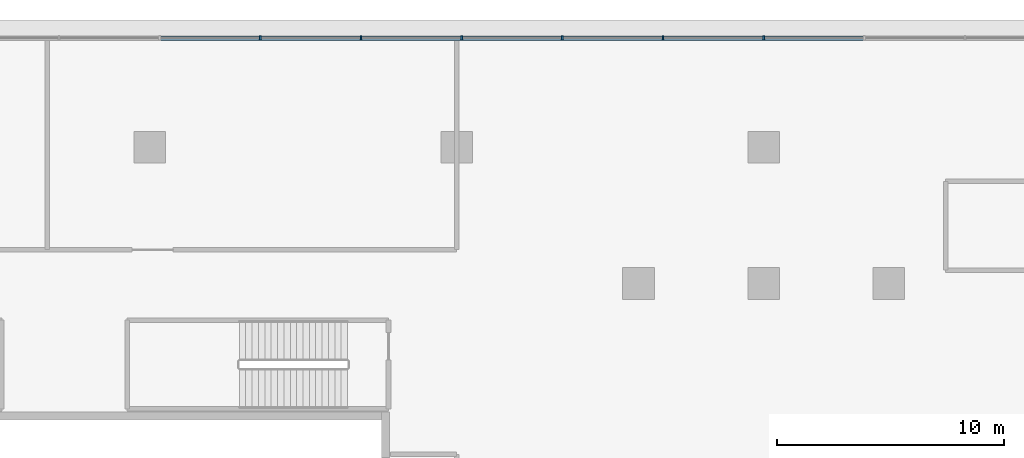
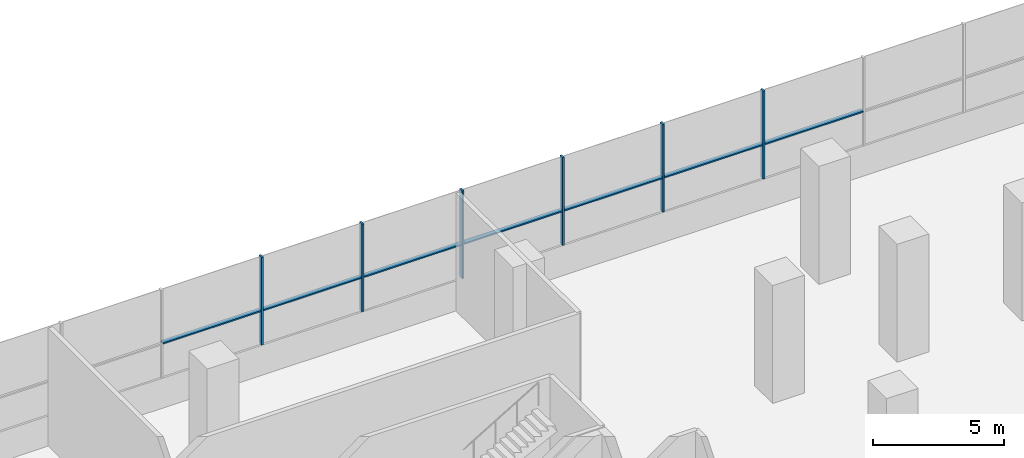
# One storey, part 14 of 52: 13 members, 1 element without a shape of its own.
"""IFC4 building model written with IfcOpenShell, lengths in metres."""

from ifc_helpers import new_model, si_unit, direction, frame, origin, origin_2d, place, context, subcontext, project, spatial, polyline, rectangle, outline, extrude, material, layer, layer_set, material_profile, profile_set, type_object, element, aggregate, save


model = new_model("IFC4")

# Units and contexts
model_context = context("Model", 3, precision=1e-05, world=origin(), true_north=direction((0.0, 1.0)))
body_context = subcontext(model_context, "Body", "Model", "MODEL_VIEW")
ifc_project = project(units=[si_unit("LENGTHUNIT", "METRE"), si_unit("AREAUNIT", "SQUARE_METRE"), si_unit("VOLUMEUNIT", "CUBIC_METRE"), si_unit("PLANEANGLEUNIT", "RADIAN"), si_unit("MASSUNIT", "GRAM", prefix="KILO")], contexts=[model_context])

# Site, building, storey
site_placement = place(None, origin())
site = spatial("IfcSite", under=ifc_project, at=site_placement, CompositionType="ELEMENT")
building_placement = place(site_placement, origin())
building = spatial("IfcBuilding", under=site, at=building_placement, Name="Tamarind Cross Interchange Tower", CompositionType="ELEMENT")
storey_placement = place(building_placement, frame((0.0, 0.0, 9.0)))
storey = spatial("IfcBuildingStorey", under=building, at=storey_placement, Name="L01", CompositionType="ELEMENT", Elevation=9.0)

# Curtain wall, members
ifc_material = material(Name="Aluminium 6063-T6", Category="aluminium")
ifc_layer = layer(ifc_material, 0.199951171875)
ifc_layer_set = layer_set([ifc_layer], Name="Aluminium 6063-T6")
curtain_wall_type = type_object("IfcCurtainWallType", Name="Podium shopfront and station curtain wall", PredefinedType="NOTDEFINED", material=ifc_layer_set)
curtain_wall_placement = place(storey_placement, origin())
curtain_wall = element("IfcCurtainWall", 1, at=curtain_wall_placement, inside=storey, type_object=curtain_wall_type, Name="CWS-L01-02", PredefinedType="NOTDEFINED")
ifc_material_profile = material_profile(ifc_material, rectangle(XDim=0.080078125, YDim=0.199951171875, at=origin_2d()), Name="Mullion CW3")
ifc_profile_set = profile_set([ifc_material_profile], Name="Aluminium 6063-T6")
member_type_1 = type_object("IfcMemberType", Name="Mullion CW3", PredefinedType="MULLION", material=ifc_profile_set)
member_1_placement = place(storey_placement, frame((0.0, 58.800048828125, 1.39990234375), z_axis=(0.0, 0.0, 1.0), x_axis=(-1.0, 0.0, 0.0)))
member_1 = element("IfcMember", 2, at=member_1_placement, type_object=member_type_1, Name="CWM-L01-02-14", PredefinedType="MULLION", context=body_context, shape_type="SweptSolid", body=[
    extrude(rectangle(XDim=0.080078125, YDim=0.199951171875, at=origin_2d()), origin(), (0.0, 0.0, 1.0), 4.10009765625),
])
member_2_placement = place(storey_placement, frame((-4.427490234375, 58.800048828125, 1.39990234375), z_axis=(0.0, 0.0, 1.0), x_axis=(-1.0, 0.0, 0.0)))
member_2 = element("IfcMember", 3, at=member_2_placement, type_object=member_type_1, Name="CWM-L01-02-15", PredefinedType="MULLION", context=body_context, shape_type="SweptSolid", body=[
    extrude(rectangle(XDim=0.080078125, YDim=0.199951171875, at=origin_2d()), origin(), (0.0, 0.0, 1.0), 4.10009765625),
])
member_3_placement = place(storey_placement, frame((-8.85498046875, 58.800048828125, 1.39990234375), z_axis=(0.0, 0.0, 1.0), x_axis=(-1.0, 0.0, 0.0)))
member_3 = element("IfcMember", 4, at=member_3_placement, type_object=member_type_1, Name="CWM-L01-02-16", PredefinedType="MULLION", context=body_context, shape_type="SweptSolid", body=[
    extrude(rectangle(XDim=0.080078125, YDim=0.199951171875, at=origin_2d()), origin(), (0.0, 0.0, 1.0), 4.10009765625),
])
member_4_placement = place(storey_placement, frame((-13.2822265625, 58.800048828125, 1.39990234375), z_axis=(0.0, 0.0, 1.0), x_axis=(-1.0, 0.0, 0.0)))
member_4 = element("IfcMember", 5, at=member_4_placement, type_object=member_type_1, Name="CWM-L01-02-17", PredefinedType="MULLION", context=body_context, shape_type="SweptSolid", body=[
    extrude(rectangle(XDim=0.080078125, YDim=0.199951171875, at=origin_2d()), origin(), (0.0, 0.0, 1.0), 4.10009765625),
])
member_5_placement = place(storey_placement, frame((-17.709716796875, 58.800048828125, 1.39990234375), z_axis=(0.0, 0.0, 1.0), x_axis=(-1.0, 0.0, 0.0)))
member_5 = element("IfcMember", 6, at=member_5_placement, type_object=member_type_1, Name="CWM-L01-02-18", PredefinedType="MULLION", context=body_context, shape_type="SweptSolid", body=[
    extrude(rectangle(XDim=0.080078125, YDim=0.199951171875, at=origin_2d()), origin(), (0.0, 0.0, 1.0), 4.10009765625),
])
member_6_placement = place(storey_placement, frame((-22.13720703125, 58.800048828125, 1.39990234375), z_axis=(0.0, 0.0, 1.0), x_axis=(-1.0, 0.0, 0.0)))
member_6 = element("IfcMember", 7, at=member_6_placement, type_object=member_type_1, Name="CWM-L01-02-19", PredefinedType="MULLION", context=body_context, shape_type="SweptSolid", body=[
    extrude(rectangle(XDim=0.080078125, YDim=0.199951171875, at=origin_2d()), origin(), (0.0, 0.0, 1.0), 4.10009765625),
])
member_type_2 = type_object("IfcMemberType", Name="Podium intermediate transom", PredefinedType="USERDEFINED", material=ifc_material)
member_7_placement = place(storey_placement, frame((0.0, 0.0, 2.969970703125)))
member_7 = element("IfcMember", 8, at=member_7_placement, type_object=member_type_2, Name="CWT-L01-02-I0-13", ObjectType="TRANSOM", PredefinedType="USERDEFINED", context=body_context, shape_type="SweptSolid", body=[
    extrude(outline(polyline([(4.387451171875, 58.699951171875), (0.0400390625, 58.699951171875), (0.0400390625, 58.89990234375), (4.387451171875, 58.89990234375), (4.387451171875, 58.699951171875)])), origin(), (0.0, 0.0, 1.0), 0.06005859375),
])
member_8_placement = place(storey_placement, frame((0.0, 0.0, 2.969970703125)))
member_8 = element("IfcMember", 9, at=member_8_placement, type_object=member_type_2, Name="CWT-L01-02-I0-14", ObjectType="TRANSOM", PredefinedType="USERDEFINED", context=body_context, shape_type="SweptSolid", body=[
    extrude(outline(polyline([(-0.0400390625, 58.699951171875), (-4.387451171875, 58.699951171875), (-4.387451171875, 58.89990234375), (-0.0400390625, 58.89990234375), (-0.0400390625, 58.699951171875)])), origin(), (0.0, 0.0, 1.0), 0.06005859375),
])
member_9_placement = place(storey_placement, frame((0.0, 0.0, 2.969970703125)))
member_9 = element("IfcMember", 10, at=member_9_placement, type_object=member_type_2, Name="CWT-L01-02-I0-15", ObjectType="TRANSOM", PredefinedType="USERDEFINED", context=body_context, shape_type="SweptSolid", body=[
    extrude(outline(polyline([(-4.467529296875, 58.699951171875), (-8.81494140625, 58.699951171875), (-8.81494140625, 58.89990234375), (-4.467529296875, 58.89990234375), (-4.467529296875, 58.699951171875)])), origin(), (0.0, 0.0, 1.0), 0.06005859375),
])
member_10_placement = place(storey_placement, frame((0.0, 0.0, 2.969970703125)))
member_10 = element("IfcMember", 11, at=member_10_placement, type_object=member_type_2, Name="CWT-L01-02-I0-16", ObjectType="TRANSOM", PredefinedType="USERDEFINED", context=body_context, shape_type="SweptSolid", body=[
    extrude(outline(polyline([(-8.894775390625, 58.699951171875), (-13.242431640625, 58.699951171875), (-13.242431640625, 58.89990234375), (-8.894775390625, 58.89990234375), (-8.894775390625, 58.699951171875)])), origin(), (0.0, 0.0, 1.0), 0.06005859375),
])
member_11_placement = place(storey_placement, frame((0.0, 0.0, 2.969970703125)))
member_11 = element("IfcMember", 12, at=member_11_placement, type_object=member_type_2, Name="CWT-L01-02-I0-17", ObjectType="TRANSOM", PredefinedType="USERDEFINED", context=body_context, shape_type="SweptSolid", body=[
    extrude(outline(polyline([(-13.322265625, 58.699951171875), (-17.669677734375, 58.699951171875), (-17.669677734375, 58.89990234375), (-13.322265625, 58.89990234375), (-13.322265625, 58.699951171875)])), origin(), (0.0, 0.0, 1.0), 0.06005859375),
])
member_12_placement = place(storey_placement, frame((0.0, 0.0, 2.969970703125)))
member_12 = element("IfcMember", 13, at=member_12_placement, type_object=member_type_2, Name="CWT-L01-02-I0-18", ObjectType="TRANSOM", PredefinedType="USERDEFINED", context=body_context, shape_type="SweptSolid", body=[
    extrude(outline(polyline([(-17.749755859375, 58.699951171875), (-22.09716796875, 58.699951171875), (-22.09716796875, 58.89990234375), (-17.749755859375, 58.89990234375), (-17.749755859375, 58.699951171875)])), origin(), (0.0, 0.0, 1.0), 0.06005859375),
])
member_13_placement = place(storey_placement, frame((0.0, 0.0, 2.969970703125)))
member_13 = element("IfcMember", 14, at=member_13_placement, type_object=member_type_2, Name="CWT-L01-02-I0-19", ObjectType="TRANSOM", PredefinedType="USERDEFINED", context=body_context, shape_type="SweptSolid", body=[
    extrude(outline(polyline([(-22.17724609375, 58.699951171875), (-26.524658203125, 58.699951171875), (-26.524658203125, 58.89990234375), (-22.17724609375, 58.89990234375), (-22.17724609375, 58.699951171875)])), origin(), (0.0, 0.0, 1.0), 0.06005859375),
])
aggregate(curtain_wall, [member_1, member_2, member_3, member_4, member_5, member_6, member_7, member_8, member_9, member_10, member_11, member_12, member_13])

save(model, "model.ifc")
